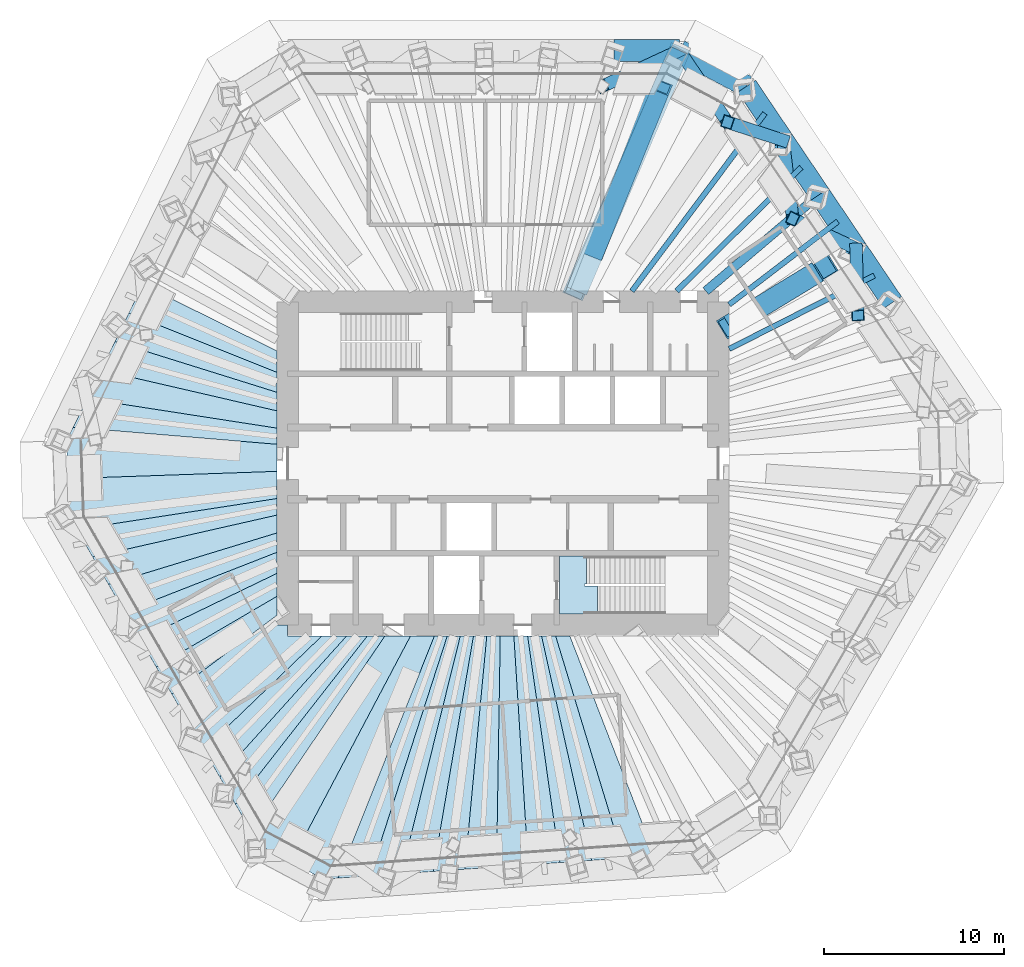
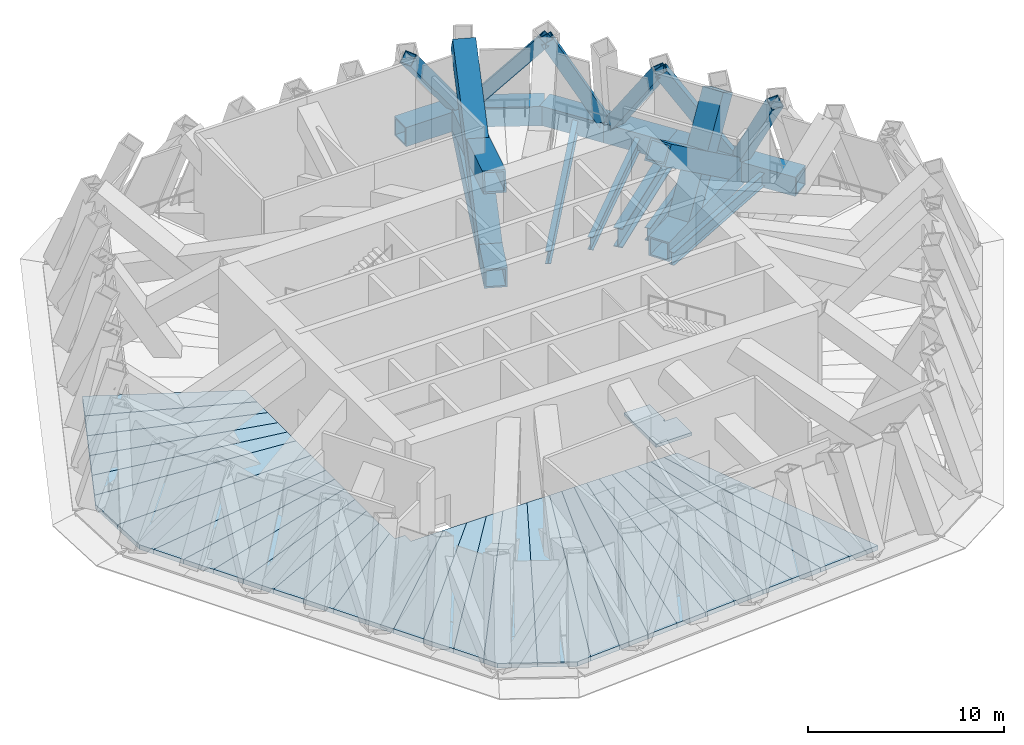
# One storey, part 5 of 12: 30 slabs, 16 members, 7 beams, 1 element without a shape of its own.
"""IFC4 building model written with IfcOpenShell, lengths in metres."""

import ifcopenshell
import ifcopenshell.guid

model = None  # the IFC model being written
_history = None  # IfcOwnerHistory: only IFC2X3 demands one
_inside = {}  # id of a spatial element -> (the spatial element, [elements in it])
_under = {}  # id of a project, library or spatial element -> (it, [spatial elements below it])
_declared = {}  # id of a project -> (the project, [libraries it declares])
_typed = {}  # id of a type object -> (the type object, [elements of that type])
_made_of = {}  # id of a material, layer set ... -> (it, [elements and type objects made of it])


def new_model(schema):
    """Start an empty IFC model of exactly this schema.

    Asked for "IFC4X3", IfcOpenShell would pick the latest addendum, in which some entities
    have other attributes; the version numbers below select the first issue.
    IFC2X3 requires an IfcOwnerHistory on every rooted entity: one is made here for all.
    """
    global model, _history
    if schema == "IFC4X3":
        model = ifcopenshell.file(schema_version=(4, 3, 0, 0))
    else:
        model = ifcopenshell.file(schema=schema)
    _inside.clear()
    _under.clear()
    _declared.clear()
    _typed.clear()
    _made_of.clear()
    _history = None
    if model.schema == "IFC2X3":
        org = make("IfcOrganization", Name="unknown")
        user = make(
            "IfcPersonAndOrganization",
            ThePerson=make("IfcPerson", FamilyName="unknown"),
            TheOrganization=org,
        )
        app = make(
            "IfcApplication",
            ApplicationDeveloper=org,
            Version="unknown",
            ApplicationFullName="unknown",
            ApplicationIdentifier="unknown",
        )
        _history = make(
            "IfcOwnerHistory",
            OwningUser=user,
            OwningApplication=app,
            ChangeAction="ADDED",
            CreationDate=0,
        )
    return model


def make(cls, **values):
    """One entity of the class cls with the attributes given. An attribute that is None is left unset."""
    return model.create_entity(
        cls, **{name: value for name, value in values.items() if value is not None}
    )


def rooted(cls, **values):
    """An entity with a GlobalId (a new one), such as an element, a storey or a relation."""
    return make(cls, GlobalId=ifcopenshell.guid.new(), OwnerHistory=_history, **values)


def si_unit(unit_type, name, prefix=None):
    """IfcSIUnit, for example si_unit("LENGTHUNIT", "METRE", prefix="MILLI")."""
    return make("IfcSIUnit", UnitType=unit_type, Prefix=prefix, Name=name)


def assignment(units):
    """IfcUnitAssignment: the units of a project."""
    return None if units is None else make("IfcUnitAssignment", Units=units)


def point(xyz):
    """IfcCartesianPoint."""
    return None if xyz is None else make("IfcCartesianPoint", Coordinates=xyz)


def direction(xyz):
    """IfcDirection."""
    return None if xyz is None else make("IfcDirection", DirectionRatios=xyz)


def frame(location, z_axis=None, x_axis=None):
    """IfcAxis2Placement3D, a coordinate frame: its origin and axes. An axis left out is left unset."""
    return make(
        "IfcAxis2Placement3D",
        Location=point(location),
        Axis=direction(z_axis),
        RefDirection=direction(x_axis),
    )


def frame_2d(location, x_axis=None):
    """IfcAxis2Placement2D, a coordinate frame in the plane: its origin and x axis."""
    return make(
        "IfcAxis2Placement2D", Location=point(location), RefDirection=direction(x_axis)
    )


def origin():
    """The frame at (0, 0, 0) with its axes left unset."""
    return frame((0.0, 0.0, 0.0))


def origin_2d():
    """The frame at (0, 0) in the plane with its x axis left unset."""
    return frame_2d((0.0, 0.0))


def place(relative_to, where):
    """IfcLocalPlacement: puts the frame where relative to a parent placement (None: the world)."""
    return make(
        "IfcLocalPlacement", PlacementRelTo=relative_to, RelativePlacement=where
    )


def context(
    kind, dimensions, precision=None, world=None, true_north=None, identifier=None
):
    """IfcGeometricRepresentationContext, for example the 3D "Model" context."""
    return make(
        "IfcGeometricRepresentationContext",
        ContextIdentifier=identifier,
        ContextType=kind,
        CoordinateSpaceDimension=dimensions,
        Precision=precision,
        WorldCoordinateSystem=world,
        TrueNorth=true_north,
    )


def subcontext(parent, identifier, kind, view, scale=None):
    """IfcGeometricRepresentationSubContext, for example "Body" below "Model"."""
    return make(
        "IfcGeometricRepresentationSubContext",
        ContextIdentifier=identifier,
        ContextType=kind,
        ParentContext=parent,
        TargetScale=scale,
        TargetView=view,
    )


def project(units=None, contexts=None):
    """IfcProject with its units and contexts."""
    return rooted(
        "IfcProject",
        Name="project",
        RepresentationContexts=contexts,
        UnitsInContext=assignment(units),
    )


def spatial(cls, under=None, at=None, **own):
    """A site, building, storey or space (cls), placed at a placement, below another one or the project."""
    s = rooted(cls, ObjectPlacement=at, **own)
    if under is not None:
        _under.setdefault(under.id(), (under, []))[1].append(s)
    return s


def polyline(points):
    """IfcPolyline through the points."""
    return make("IfcPolyline", Points=[point(p) for p in points])


def profile(cls, at=None, kind="AREA", **sizes):
    """A parametric profile (cls). Its sizes go by their IFC names, for example OverallWidth=200.0."""
    return make(cls, ProfileType=kind, Position=at, **sizes)


def hollow_rectangle(**sizes):
    """IfcRectangleHollowProfileDef."""
    return profile("IfcRectangleHollowProfileDef", **sizes)


def i_section(**sizes):
    """IfcIShapeProfileDef."""
    return profile("IfcIShapeProfileDef", **sizes)


def outline(outer, holes=None, kind="AREA"):
    """IfcArbitraryClosedProfileDef: a profile drawn as a closed curve; with holes, ...WithVoids."""
    if holes is None:
        return make("IfcArbitraryClosedProfileDef", ProfileType=kind, OuterCurve=outer)
    return make(
        "IfcArbitraryProfileDefWithVoids",
        ProfileType=kind,
        OuterCurve=outer,
        InnerCurves=holes,
    )


def extrude(swept, where, along, depth):
    """IfcExtrudedAreaSolid: the profile swept, set in the frame where, extruded along a direction by depth."""
    return make(
        "IfcExtrudedAreaSolid",
        SweptArea=swept,
        Position=where,
        ExtrudedDirection=direction(along),
        Depth=depth,
    )


def shape(context_of_items, identifier, shape_type, items):
    """IfcShapeRepresentation: the items that make up one representation, for example the "Body"."""
    return make(
        "IfcShapeRepresentation",
        ContextOfItems=context_of_items,
        RepresentationIdentifier=identifier,
        RepresentationType=shape_type,
        Items=items,
    )


def material(Name=None, Category=None):
    """IfcMaterial."""
    return make("IfcMaterial", Name=Name, Category=Category)


def layer(
    of_material, thickness, ventilated=None, Name=None, Category=None, Priority=None
):
    """IfcMaterialLayer: one layer of a wall or slab, of a material (None: an air gap)."""
    return make(
        "IfcMaterialLayer",
        Material=of_material,
        LayerThickness=thickness,
        IsVentilated=ventilated,
        Name=Name,
        Category=Category,
        Priority=Priority,
    )


def layer_set(layers, Name=None):
    """IfcMaterialLayerSet."""
    return make("IfcMaterialLayerSet", MaterialLayers=layers, LayerSetName=Name)


def material_profile(
    of_material, cross_section, Name=None, Category=None, Priority=None
):
    """IfcMaterialProfile: a cross section and its material."""
    return make(
        "IfcMaterialProfile",
        Name=Name,
        Material=of_material,
        Profile=cross_section,
        Priority=Priority,
        Category=Category,
    )


def profile_set(profiles, Name=None, composite=None):
    """IfcMaterialProfileSet."""
    return make(
        "IfcMaterialProfileSet",
        Name=Name,
        MaterialProfiles=profiles,
        CompositeProfile=composite,
    )


def made_of(thing, what):
    """Note that an element or type object is made of a material, layer set ...; save() writes the relation."""
    if what is not None:
        _made_of.setdefault(what.id(), (what, []))[1].append(thing)
    return thing


def type_object(cls, material=None, **own):
    """A type object (cls), such as IfcWallType, which elements share."""
    return made_of(rooted(cls, **own), material)


def element(
    cls,
    number,
    at=None,
    inside=None,
    cuts=None,
    type_object=None,
    material=None,
    context=None,
    identifier="Body",
    shape_type=None,
    held_by="IfcProductDefinitionShape",
    body=None,
    shapes=None,
    **own,
):
    """One element of the class cls, such as IfcWall. Its Tag is "e" and its number.

    at: its placement. inside: the storey or other place that contains it. cuts: it is an
    opening in that element (IfcRelVoidsElement). A single representation is given by context,
    identifier, shape_type and body (its items); several are given by shapes. held_by: the class
    of the entity that holds the representations. save() writes the other relations.
    """
    e = rooted(cls, Tag="e%d" % number, ObjectPlacement=at, **own)
    if body is not None:
        shapes = [shape(context, identifier, shape_type, body)]
    if shapes is not None:
        e.Representation = make(held_by, Representations=shapes)
    if inside is not None:
        _inside.setdefault(inside.id(), (inside, []))[1].append(e)
    if cuts is not None:
        rooted(
            "IfcRelVoidsElement", RelatingBuildingElement=cuts, RelatedOpeningElement=e
        )
    if type_object is not None:
        _typed.setdefault(type_object.id(), (type_object, []))[1].append(e)
    return made_of(e, material)


def aggregate(whole, parts):
    """IfcRelAggregates: a whole, such as a stair, and the parts it consists of."""
    return rooted("IfcRelAggregates", RelatingObject=whole, RelatedObjects=parts)


def save(model, path):
    """Write the relations noted so far, then the file.

    IfcRelAggregates (storeys below a building ...), IfcRelContainedInSpatialStructure (elements
    in a storey), IfcRelDefinesByType, IfcRelAssociatesMaterial and IfcRelDeclares: one each for
    every whole, place, type object, material and project.
    """
    for whole, parts in _under.values():
        aggregate(whole, parts)
    for where, things in _inside.values():
        rooted(
            "IfcRelContainedInSpatialStructure",
            RelatedElements=things,
            RelatingStructure=where,
        )
    for kind, things in _typed.values():
        rooted("IfcRelDefinesByType", RelatedObjects=things, RelatingType=kind)
    for what, things in _made_of.values():
        rooted("IfcRelAssociatesMaterial", RelatedObjects=things, RelatingMaterial=what)
    for by, libraries in _declared.values():
        rooted("IfcRelDeclares", RelatingContext=by, RelatedDefinitions=libraries)
    model.write(path)


model = new_model("IFC4")

# Units and contexts
model_context = context("Model", 3, precision=1e-05, world=origin(), true_north=direction((0.0, 1.0)))
body_context = subcontext(model_context, "Body", "Model", "MODEL_VIEW")
ifc_project = project(units=[si_unit("LENGTHUNIT", "METRE"), si_unit("AREAUNIT", "SQUARE_METRE"), si_unit("VOLUMEUNIT", "CUBIC_METRE"), si_unit("PLANEANGLEUNIT", "RADIAN"), si_unit("MASSUNIT", "GRAM", prefix="KILO")], contexts=[model_context])

# Site, building, storey
site_placement = place(None, origin())
site = spatial("IfcSite", under=ifc_project, at=site_placement, CompositionType="ELEMENT")
building_placement = place(site_placement, origin())
building = spatial("IfcBuilding", under=site, at=building_placement, Name="Qingtian Harvest Tower", CompositionType="ELEMENT")
storey_placement = place(building_placement, frame((0.0, 0.0, 256.0)))
storey = spatial("IfcBuildingStorey", under=building, at=storey_placement, Name="L56", CompositionType="ELEMENT", Elevation=256.0)

# Members
ifc_material_1 = material(Name="Steel SM570MC", Category="steel")
ifc_material_profile_1 = material_profile(ifc_material_1, hollow_rectangle(XDim=1.199951171875, YDim=1.199951171875, WallThickness=0.10009765625, at=origin_2d()), Name="BOX1200x1200x100")
ifc_profile_set_1 = profile_set([ifc_material_profile_1], Name="Steel SM570MC")
member_type_1 = type_object("IfcMemberType", Name="Belt truss chord BC3 BOX1200x1200x100", PredefinedType="CHORD", material=ifc_profile_set_1)
member_1_placement = place(storey_placement, frame((6.19580078125, 23.0, -0.60009765625), z_axis=(1.0, 0.0, 0.0), x_axis=(0.0, 1.0, 0.0)))
element("IfcMember", 1, at=member_1_placement, inside=storey, type_object=member_type_1, Name="Belt chord BC3 N5", PredefinedType="CHORD", context=body_context, shape_type="SweptSolid", body=[
    extrude(hollow_rectangle(XDim=1.199951171875, YDim=1.199951171875, WallThickness=0.10009765625, at=origin_2d()), origin(), (0.0, 0.0, 1.0), 3.633544921875),
])
member_2_placement = place(storey_placement, frame((9.829345703125, 23.0, -0.60009765625), z_axis=(0.882935902835, -0.469493547863, 0.0), x_axis=(0.469493547863, 0.882935902835, 0.0)))
element("IfcMember", 2, at=member_2_placement, inside=storey, type_object=member_type_1, Name="Belt chord BC3 NC", PredefinedType="CHORD", context=body_context, shape_type="SweptSolid", body=[
    extrude(hollow_rectangle(XDim=1.199951171875, YDim=1.199951171875, WallThickness=0.10009765625, at=origin_2d()), origin(), (0.0, 0.0, 1.0), 4.238037109375),
])
for number, where, z_axis, x_axis, name in (
    (3, (13.5712890625, 21.01025390625, -0.60009765625), (0.559235108412, -0.829009103399, 0.0), (0.829009103399, 0.559235108412, 0.0), "Belt chord BC3 NE0"),
    (4, (15.603271484375, 17.998046875, -0.60009765625), (0.55915777886, -0.829061263321, 0.0), (0.829061263321, 0.55915777886, 0.0), "Belt chord BC3 NE1"),
):
    element("IfcMember", number, at=place(storey_placement, frame(where, z_axis=z_axis, x_axis=x_axis)), inside=storey, type_object=member_type_1, Name=name, PredefinedType="CHORD", context=body_context, shape_type="SweptSolid", body=[
        extrude(hollow_rectangle(XDim=1.199951171875, YDim=1.199951171875, WallThickness=0.10009765625, at=origin_2d()), origin(), (0.0, 0.0, 1.0), 3.633544921875),
    ])
member_3_placement = place(storey_placement, frame((17.635009765625, 14.985595703125, -0.60009765625), z_axis=(0.55920395902, -0.829030115385, 0.0), x_axis=(0.829030115385, 0.55920395902, 0.0)))
element("IfcMember", 5, at=member_3_placement, inside=storey, type_object=member_type_1, Name="Belt chord BC3 NE2", PredefinedType="CHORD", context=body_context, shape_type="SweptSolid", body=[
    extrude(hollow_rectangle(XDim=1.199951171875, YDim=1.199951171875, WallThickness=0.10009765625, at=origin_2d()), origin(), (0.0, 0.0, 1.0), 3.6337890625),
])
member_4_placement = place(storey_placement, frame((19.6669921875, 11.97314453125, -0.60009765625), z_axis=(0.559188928021, -0.829040254016, 0.0), x_axis=(0.829040254016, 0.559188928021, 0.0)))
element("IfcMember", 6, at=member_4_placement, inside=storey, type_object=member_type_1, Name="Belt chord BC3 NE3", PredefinedType="CHORD", context=body_context, shape_type="SweptSolid", body=[
    extrude(hollow_rectangle(XDim=1.199951171875, YDim=1.199951171875, WallThickness=0.10009765625, at=origin_2d()), origin(), (0.0, 0.0, 1.0), 3.63330078125),
])
ifc_material_2 = material(Name="Steel SM570MC", Category="steel")
ifc_material_profile_2 = material_profile(ifc_material_2, hollow_rectangle(XDim=0.699951171875, YDim=0.699951171875, WallThickness=0.0400390625, at=origin_2d()), Name="BOX700x700x40")
ifc_profile_set_2 = profile_set([ifc_material_profile_2], Name="Steel SM570MC")
member_type_2 = type_object("IfcMemberType", Name="Belt truss diagonal BD3 BOX700x700x40", PredefinedType="BRACE", material=ifc_profile_set_2)
member_5_placement = place(storey_placement, frame((5.517822265625, 21.0, 5.39990234375), z_axis=(0.563276768709, 0.261288974477, -0.783866923431), x_axis=(-0.420803399984, 0.907151860805, 0.0)))
element("IfcMember", 7, at=member_5_placement, inside=storey, type_object=member_type_2, Name="Belt truss diagonal BD3 L56 N5", PredefinedType="BRACE", context=body_context, shape_type="SweptSolid", body=[
    extrude(hollow_rectangle(XDim=0.699951171875, YDim=0.699951171875, WallThickness=0.0400390625, at=origin_2d()), origin(), (0.0, 0.0, 1.0), 7.654296875),
])
member_6_placement = place(storey_placement, frame((9.829345703125, 23.0, -0.60009765625), z_axis=(0.348462261767, -0.519009322074, 0.780514814545), x_axis=(0.83023255063, 0.557417179385, 0.0)))
element("IfcMember", 8, at=member_6_placement, inside=storey, type_object=member_type_2, Name="Belt truss diagonal BD3 L56 N6", PredefinedType="BRACE", context=body_context, shape_type="SweptSolid", body=[
    extrude(hollow_rectangle(XDim=0.699951171875, YDim=0.699951171875, WallThickness=0.0400390625, at=origin_2d()), origin(), (0.0, 0.0, 1.0), 7.687255859375),
])
member_7_placement = place(storey_placement, frame((12.508056640625, 19.01025390625, 5.39990234375), z_axis=(0.453393119697, -0.148270064227, -0.878891726588), x_axis=(0.310824821083, 0.950467217004, 0.0)))
element("IfcMember", 9, at=member_7_placement, inside=storey, type_object=member_type_2, Name="Belt truss diagonal BD3 L56 NE0", PredefinedType="BRACE", context=body_context, shape_type="SweptSolid", body=[
    extrude(hollow_rectangle(XDim=0.699951171875, YDim=0.699951171875, WallThickness=0.0400390625, at=origin_2d()), origin(), (0.0, 0.0, 1.0), 6.82666015625),
])
member_8_placement = place(storey_placement, frame((15.603271484375, 17.998046875, -0.60009765625), z_axis=(0.072185286814, -0.587485253388, 0.80600890902), x_axis=(0.992535691345, 0.121954505479, 0.0)))
element("IfcMember", 10, at=member_8_placement, inside=storey, type_object=member_type_2, Name="Belt truss diagonal BD3 L56 NE1", PredefinedType="BRACE", context=body_context, shape_type="SweptSolid", body=[
    extrude(hollow_rectangle(XDim=0.699951171875, YDim=0.699951171875, WallThickness=0.0400390625, at=origin_2d()), origin(), (0.0, 0.0, 1.0), 7.444091796875),
])
member_9_placement = place(storey_placement, frame((16.140625, 13.624755859375, 5.39990234375), z_axis=(0.493002552553, -0.230902954031, -0.838827937658), x_axis=(0.424144715837, 0.905594423585, 0.0)))
element("IfcMember", 11, at=member_9_placement, inside=storey, type_object=member_type_2, Name="Belt truss diagonal BD3 L56 NE2", PredefinedType="BRACE", context=body_context, shape_type="SweptSolid", body=[
    extrude(hollow_rectangle(XDim=0.699951171875, YDim=0.699951171875, WallThickness=0.0400390625, at=origin_2d()), origin(), (0.0, 0.0, 1.0), 7.15283203125),
])
member_10_placement = place(storey_placement, frame((19.6669921875, 11.97314453125, -0.60009765625), z_axis=(0.014991614241, -0.528298958999, 0.848926063578), x_axis=(0.999597611929, 0.028365722739, 0.0)))
element("IfcMember", 12, at=member_10_placement, inside=storey, type_object=member_type_2, Name="Belt truss diagonal BD3 L56 NE3", PredefinedType="BRACE", context=body_context, shape_type="SweptSolid", body=[
    extrude(hollow_rectangle(XDim=0.699951171875, YDim=0.699951171875, WallThickness=0.0400390625, at=origin_2d()), origin(), (0.0, 0.0, 1.0), 7.06787109375),
])

# Beams
ifc_material_3 = material(Name="Steel SN490B", Category="steel")
ifc_material_profile_3 = material_profile(ifc_material_3, i_section(OverallWidth=0.300048828125, OverallDepth=0.800048828125, WebThickness=0.013916015625, FlangeThickness=0.02587890625, at=origin_2d()), Name="H800x300x14x26")
ifc_profile_set_3 = profile_set([ifc_material_profile_3], Name="Steel SN490B")
beam_type_1 = type_object("IfcBeamType", Name="Floor joist J1 H800x300x14x26", PredefinedType="JOIST", material=ifc_profile_set_3)
beam_1_placement = place(storey_placement, frame((14.58740234375, 19.504150390625, -0.679931640625), z_axis=(-0.598935081494, -0.800797582511, 0.0), x_axis=(0.800797582511, -0.598935081494, 0.0)))
element("IfcBeam", 13, at=beam_1_placement, inside=storey, type_object=beam_type_1, Name="Floor joist J1 NE0", PredefinedType="JOIST", context=body_context, shape_type="SweptSolid", body=[
    extrude(i_section(OverallWidth=0.300048828125, OverallDepth=0.800048828125, WebThickness=0.013916015625, FlangeThickness=0.02587890625, at=origin_2d()), origin(), (0.0, 0.0, 1.0), 12.36767578125),
])
beam_2_placement = place(storey_placement, frame((16.619140625, 16.49169921875, -0.679931640625), z_axis=(-0.709833839663, -0.704369164622, 0.0), x_axis=(0.704369164622, -0.709833839663, 0.0)))
element("IfcBeam", 14, at=beam_2_placement, inside=storey, type_object=beam_type_1, Name="Floor joist J1 NE1", PredefinedType="JOIST", context=body_context, shape_type="SweptSolid", body=[
    extrude(i_section(OverallWidth=0.300048828125, OverallDepth=0.800048828125, WebThickness=0.013916015625, FlangeThickness=0.02587890625, at=origin_2d()), origin(), (0.0, 0.0, 1.0), 9.7841796875),
])
beam_3_placement = place(storey_placement, frame((18.651123046875, 13.4794921875, -0.679931640625), z_axis=(-0.794222288871, -0.607627316585, 0.0), x_axis=(0.607627316585, -0.794222288871, 0.0)))
element("IfcBeam", 15, at=beam_3_placement, inside=storey, type_object=beam_type_1, Name="Floor joist J1 NE2", PredefinedType="JOIST", context=body_context, shape_type="SweptSolid", body=[
    extrude(i_section(OverallWidth=0.300048828125, OverallDepth=0.800048828125, WebThickness=0.013916015625, FlangeThickness=0.02587890625, at=origin_2d()), origin(), (0.0, 0.0, 1.0), 7.618896484375),
])
beam_4_placement = place(storey_placement, frame((20.682861328125, 10.467041015625, -0.679931640625), z_axis=(-0.892244443914, -0.451552712652, 0.0), x_axis=(0.451552712652, -0.892244443914, 0.0)))
element("IfcBeam", 16, at=beam_4_placement, inside=storey, type_object=beam_type_1, Name="Floor joist J1 NE3", PredefinedType="JOIST", context=body_context, shape_type="SweptSolid", body=[
    extrude(i_section(OverallWidth=0.300048828125, OverallDepth=0.800048828125, WebThickness=0.013916015625, FlangeThickness=0.02587890625, at=origin_2d()), origin(), (0.0, 0.0, 1.0), 9.058837890625),
])
ifc_material_4 = material(Name="Steel SM570MC", Category="steel")
ifc_material_profile_4 = material_profile(ifc_material_4, hollow_rectangle(XDim=1.199951171875, YDim=1.199951171875, WallThickness=0.10009765625, at=origin_2d()), Name="BOX1200x1200x100")
ifc_profile_set_4 = profile_set([ifc_material_profile_4], Name="Steel SM570MC")
beam_type_2 = type_object("IfcBeamType", Name="Outrigger chord beam OC2 BOX1200x1200x100", PredefinedType="BEAM", material=ifc_profile_set_4)
beam_5_placement = place(storey_placement, frame((9.829345703125, 23.0, -0.8798828125), z_axis=(-0.392976835482, -0.91954837109, 0.0), x_axis=(0.91954837109, -0.392976835482, 0.0)))
element("IfcBeam", 17, at=beam_5_placement, inside=storey, type_object=beam_type_2, Name="Floor beam OC2 N6", PredefinedType="BEAM", context=body_context, shape_type="SweptSolid", body=[
    extrude(hollow_rectangle(XDim=1.199951171875, YDim=1.199951171875, WallThickness=0.10009765625, at=origin_2d()), origin(), (0.0, 0.0, 1.0), 14.572265625),
])
beam_6_placement = place(storey_placement, frame((19.6669921875, 11.97314453125, -0.8798828125), z_axis=(-0.854163224424, -0.520004986554, 0.0), x_axis=(0.520004986554, -0.854163224424, 0.0)))
element("IfcBeam", 18, at=beam_6_placement, inside=storey, type_object=beam_type_2, Name="Floor beam OC2 NE3", PredefinedType="BEAM", context=body_context, shape_type="SweptSolid", body=[
    extrude(hollow_rectangle(XDim=1.199951171875, YDim=1.199951171875, WallThickness=0.10009765625, at=origin_2d()), origin(), (0.0, 0.0, 1.0), 8.2734375),
])

# Members
ifc_material_5 = material(Name="Steel SM570MC", Category="steel")
ifc_material_profile_5 = material_profile(ifc_material_5, hollow_rectangle(XDim=1.199951171875, YDim=1.199951171875, WallThickness=0.10009765625, at=origin_2d()), Name="BOX1200x1200x100")
ifc_profile_set_5 = profile_set([ifc_material_profile_5], Name="Steel SM570MC")
member_type_3 = type_object("IfcMemberType", Name="Outrigger diagonal OT3 BOX1200x1200x100", PredefinedType="BRACE", material=ifc_profile_set_5)
member_11_placement = place(storey_placement, frame((9.829345703125, 23.0, -0.8798828125), z_axis=(-0.367951538346, -0.847125000599, 0.383393921169), x_axis=(0.917213982021, -0.398394918623, 0.0)))
element("IfcMember", 19, at=member_11_placement, inside=storey, type_object=member_type_3, Name="Outrigger diagonal OT3 L56 N6-1", PredefinedType="BRACE", context=body_context, shape_type="SweptSolid", body=[
    extrude(hollow_rectangle(XDim=1.199951171875, YDim=1.199951171875, WallThickness=0.10009765625, at=origin_2d()), origin(), (0.0, 0.0, 1.0), 15.936279296875),
])
member_12_placement = place(storey_placement, frame((5.0458984375, 11.806884765625, -0.8798828125), z_axis=(0.319358466924, 0.78922642725, 0.524530090781), x_axis=(-0.926983705481, 0.375101599267, 0.0)))
element("IfcMember", 20, at=member_12_placement, inside=storey, type_object=member_type_3, Name="Outrigger diagonal OT3 L56 N6-2", PredefinedType="BRACE", context=body_context, shape_type="SweptSolid", body=[
    extrude(hollow_rectangle(XDim=1.199951171875, YDim=1.199951171875, WallThickness=0.10009765625, at=origin_2d()), origin(), (0.0, 0.0, 1.0), 11.648193359375),
])
member_13_placement = place(storey_placement, frame((19.6669921875, 11.97314453125, -0.8798828125), z_axis=(-0.690500451486, -0.420354733905, 0.588651870108), x_axis=(0.519992176925, -0.854171022651, 0.0)))
element("IfcMember", 21, at=member_13_placement, inside=storey, type_object=member_type_3, Name="Outrigger diagonal OT3 L56 NE3-1", PredefinedType="BRACE", context=body_context, shape_type="SweptSolid", body=[
    extrude(hollow_rectangle(XDim=1.199951171875, YDim=1.199951171875, WallThickness=0.10009765625, at=origin_2d()), origin(), (0.0, 0.0, 1.0), 10.37939453125),
])
member_14_placement = place(storey_placement, frame((14.64990234375, 8.9189453125, -0.8798828125), z_axis=(0.457183000062, 0.27832639487, 0.844700019162), x_axis=(-0.520002961553, 0.854164457219, 0.0)))
element("IfcMember", 22, at=member_14_placement, inside=storey, type_object=member_type_3, Name="Outrigger diagonal OT3 L56 NE3-2", PredefinedType="BRACE", context=body_context, shape_type="SweptSolid", body=[
    extrude(hollow_rectangle(XDim=1.199951171875, YDim=1.199951171875, WallThickness=0.10009765625, at=origin_2d()), origin(), (0.0, 0.0, 1.0), 7.233154296875),
])

# Beam
ifc_material_6 = material(Name="Steel SM570MC", Category="steel")
ifc_material_profile_6 = material_profile(ifc_material_6, i_section(OverallWidth=0.5, OverallDepth=1.199951171875, WebThickness=0.02490234375, FlangeThickness=0.050048828125, at=origin_2d()), Name="H1200x500x25x50")
ifc_profile_set_6 = profile_set([ifc_material_profile_6], Name="Steel SM570MC")
beam_type_3 = type_object("IfcBeamType", Name="Plant floor beam FB7 H1200x500x25x50", PredefinedType="BEAM", material=ifc_profile_set_6)
beam_7_placement = place(storey_placement, frame((17.635009765625, 14.985595703125, -0.8798828125), z_axis=(-0.762028398305, -0.647543604846, 0.0), x_axis=(0.647543604846, -0.762028398305, 0.0)))
element("IfcBeam", 23, at=beam_7_placement, inside=storey, type_object=beam_type_3, Name="Floor beam FB7 NE2", PredefinedType="BEAM", context=body_context, shape_type="SweptSolid", body=[
    extrude(i_section(OverallWidth=0.5, OverallDepth=1.199951171875, WebThickness=0.02490234375, FlangeThickness=0.050048828125, at=origin_2d()), origin(), (0.0, 0.0, 1.0), 8.31689453125),
])

# Slabs
ifc_material_7 = material(Name="Concrete fc' 35 MPa", Category="concrete")
ifc_layer_1 = layer(ifc_material_7, 0.280029296875)
ifc_layer_set_1 = layer_set([ifc_layer_1], Name="Composite floor slab FS28 280")
slab_type_1 = type_object("IfcSlabType", Name="Composite floor slab FS28 280", PredefinedType="FLOOR", material=ifc_layer_set_1)
slab_1_placement = place(storey_placement, frame((0.0, 0.0, -0.280029296875)))
element("IfcSlab", 24, at=slab_1_placement, inside=storey, type_object=slab_type_1, Name="Floor slab L56 panel D01", PredefinedType="FLOOR", context=body_context, shape_type="SweptSolid", body=[
    extrude(outline(polyline([(-24.233642578125, -0.846435546875), (-12.60009765625, -0.443115234375), (-12.60009765625, -1.958984375), (-23.748046875, -3.677001953125), (-24.15966796875, -2.964111328125), (-24.233642578125, -0.846435546875)])), origin(), (0.0, 0.0, 1.0), 0.280029296875),
])
slab_2_placement = place(storey_placement, frame((0.0, 0.0, -0.280029296875)))
element("IfcSlab", 25, at=slab_2_placement, inside=storey, type_object=slab_type_1, Name="Floor slab L56 panel D02", PredefinedType="FLOOR", context=body_context, shape_type="SweptSolid", body=[
    extrude(outline(polyline([(-12.60009765625, -2.880126953125), (-22.86328125, -5.209716796875), (-23.748046875, -3.677001953125), (-12.60009765625, -1.958984375), (-12.60009765625, -2.880126953125)])), origin(), (0.0, 0.0, 1.0), 0.280029296875),
])
slab_3_placement = place(storey_placement, frame((0.0, 0.0, -0.280029296875)))
element("IfcSlab", 26, at=slab_3_placement, inside=storey, type_object=slab_type_1, Name="Floor slab L56 panel D03", PredefinedType="FLOOR", context=body_context, shape_type="SweptSolid", body=[
    extrude(outline(polyline([(-12.60009765625, -3.87548828125), (-21.978271484375, -6.742431640625), (-22.86328125, -5.209716796875), (-12.60009765625, -2.880126953125), (-12.60009765625, -3.87548828125)])), origin(), (0.0, 0.0, 1.0), 0.280029296875),
])
slab_4_placement = place(storey_placement, frame((0.0, 0.0, -0.280029296875)))
element("IfcSlab", 27, at=slab_4_placement, inside=storey, type_object=slab_type_1, Name="Floor slab L56 panel D04", PredefinedType="FLOOR", context=body_context, shape_type="SweptSolid", body=[
    extrude(outline(polyline([(-12.60009765625, -4.95458984375), (-21.09326171875, -8.275146484375), (-21.978271484375, -6.742431640625), (-12.60009765625, -3.87548828125), (-12.60009765625, -4.95458984375)])), origin(), (0.0, 0.0, 1.0), 0.280029296875),
])
slab_5_placement = place(storey_placement, frame((0.0, 0.0, -0.280029296875)))
element("IfcSlab", 28, at=slab_5_placement, inside=storey, type_object=slab_type_1, Name="Floor slab L56 panel D05", PredefinedType="FLOOR", context=body_context, shape_type="SweptSolid", body=[
    extrude(outline(polyline([(-12.60009765625, -6.128173828125), (-20.20849609375, -9.80810546875), (-21.09326171875, -8.275146484375), (-12.60009765625, -4.95458984375), (-12.60009765625, -6.128173828125)])), origin(), (0.0, 0.0, 1.0), 0.280029296875),
])
slab_6_placement = place(storey_placement, frame((0.0, 0.0, -0.280029296875)))
element("IfcSlab", 29, at=slab_6_placement, inside=storey, type_object=slab_type_1, Name="Floor slab L56 panel D06", PredefinedType="FLOOR", context=body_context, shape_type="SweptSolid", body=[
    extrude(outline(polyline([(-12.60009765625, -7.409423828125), (-19.323486328125, -11.3408203125), (-20.20849609375, -9.80810546875), (-12.60009765625, -6.128173828125), (-12.60009765625, -7.409423828125)])), origin(), (0.0, 0.0, 1.0), 0.280029296875),
])
slab_7_placement = place(storey_placement, frame((0.0, 0.0, -0.280029296875)))
element("IfcSlab", 30, at=slab_7_placement, inside=storey, type_object=slab_type_1, Name="Floor slab L56 panel D07", PredefinedType="FLOOR", context=body_context, shape_type="SweptSolid", body=[
    extrude(outline(polyline([(-12.60009765625, -8.46435546875), (-18.449462890625, -12.854736328125), (-19.323486328125, -11.3408203125), (-12.60009765625, -7.409423828125), (-12.60009765625, -8.46435546875)])), origin(), (0.0, 0.0, 1.0), 0.280029296875),
])
slab_8_placement = place(storey_placement, frame((0.0, 0.0, -0.280029296875)))
element("IfcSlab", 31, at=slab_8_placement, inside=storey, type_object=slab_type_1, Name="Floor slab L56 panel D09", PredefinedType="FLOOR", context=body_context, shape_type="SweptSolid", body=[
    extrude(outline(polyline([(-16.670166015625, -15.9365234375), (-18.449462890625, -12.854736328125), (-12.60009765625, -8.46435546875), (-12.60009765625, -9.0), (-12.0, -9.0), (-12.0, -9.60009765625), (-10.07666015625, -9.60009765625), (-16.670166015625, -15.9365234375)])), origin(), (0.0, 0.0, 1.0), 0.280029296875),
])
slab_9_placement = place(storey_placement, frame((0.0, 0.0, -0.280029296875)))
element("IfcSlab", 32, at=slab_9_placement, inside=storey, type_object=slab_type_1, Name="Floor slab L56 panel D10", PredefinedType="FLOOR", context=body_context, shape_type="SweptSolid", body=[
    extrude(outline(polyline([(-8.700927734375, -9.60009765625), (-15.784912109375, -17.4697265625), (-16.670166015625, -15.9365234375), (-10.07666015625, -9.60009765625), (-8.700927734375, -9.60009765625)])), origin(), (0.0, 0.0, 1.0), 0.280029296875),
])
slab_10_placement = place(storey_placement, frame((0.0, 0.0, -0.280029296875)))
element("IfcSlab", 33, at=slab_10_placement, inside=storey, type_object=slab_type_1, Name="Floor slab L56 panel D11", PredefinedType="FLOOR", context=body_context, shape_type="SweptSolid", body=[
    extrude(outline(polyline([(-7.548095703125, -9.60009765625), (-14.89990234375, -19.00244140625), (-15.784912109375, -17.4697265625), (-8.700927734375, -9.60009765625), (-7.548095703125, -9.60009765625)])), origin(), (0.0, 0.0, 1.0), 0.280029296875),
])
slab_11_placement = place(storey_placement, frame((0.0, 0.0, -0.280029296875)))
element("IfcSlab", 34, at=slab_11_placement, inside=storey, type_object=slab_type_1, Name="Floor slab L56 panel D12", PredefinedType="FLOOR", context=body_context, shape_type="SweptSolid", body=[
    extrude(outline(polyline([(-6.568359375, -9.60009765625), (-14.014892578125, -20.535400390625), (-14.89990234375, -19.00244140625), (-7.548095703125, -9.60009765625), (-6.568359375, -9.60009765625)])), origin(), (0.0, 0.0, 1.0), 0.280029296875),
])
slab_12_placement = place(storey_placement, frame((0.0, 0.0, -0.280029296875)))
element("IfcSlab", 35, at=slab_12_placement, inside=storey, type_object=slab_type_1, Name="Floor slab L56 panel D13", PredefinedType="FLOOR", context=body_context, shape_type="SweptSolid", body=[
    extrude(outline(polyline([(-6.568359375, -9.60009765625), (-5.14501953125, -9.60009765625), (-11.8076171875, -22.203369140625), (-13.603271484375, -21.24853515625), (-14.014892578125, -20.535400390625), (-6.568359375, -9.60009765625)])), origin(), (0.0, 0.0, 1.0), 0.280029296875),
])
slab_13_placement = place(storey_placement, frame((0.0, 0.0, -0.280029296875)))
element("IfcSlab", 36, at=slab_13_placement, inside=storey, type_object=slab_type_1, Name="Floor slab L56 panel D14", PredefinedType="FLOOR", context=body_context, shape_type="SweptSolid", body=[
    extrude(outline(polyline([(-5.14501953125, -9.60009765625), (-3.817138671875, -9.60009765625), (-9.188232421875, -23.102294921875), (-10.009033203125, -23.15966796875), (-11.8076171875, -22.203369140625), (-5.14501953125, -9.60009765625)])), origin(), (0.0, 0.0, 1.0), 0.280029296875),
])
slab_14_placement = place(storey_placement, frame((0.0, 0.0, -0.280029296875)))
element("IfcSlab", 37, at=slab_14_placement, inside=storey, type_object=slab_type_1, Name="Floor slab L56 panel D15", PredefinedType="FLOOR", context=body_context, shape_type="SweptSolid", body=[
    extrude(outline(polyline([(-3.10009765625, -9.60009765625), (-7.4228515625, -22.978759765625), (-9.188232421875, -23.102294921875), (-3.817138671875, -9.60009765625), (-3.10009765625, -9.60009765625)])), origin(), (0.0, 0.0, 1.0), 0.280029296875),
])
slab_15_placement = place(storey_placement, frame((0.0, 0.0, -0.280029296875)))
element("IfcSlab", 38, at=slab_15_placement, inside=storey, type_object=slab_type_1, Name="Floor slab L56 panel D16", PredefinedType="FLOOR", context=body_context, shape_type="SweptSolid", body=[
    extrude(outline(polyline([(-2.375244140625, -9.60009765625), (-5.6572265625, -22.855224609375), (-7.4228515625, -22.978759765625), (-3.10009765625, -9.60009765625), (-2.375244140625, -9.60009765625)])), origin(), (0.0, 0.0, 1.0), 0.280029296875),
])
slab_16_placement = place(storey_placement, frame((0.0, 0.0, -0.280029296875)))
element("IfcSlab", 39, at=slab_16_placement, inside=storey, type_object=slab_type_1, Name="Floor slab L56 panel D17", PredefinedType="FLOOR", context=body_context, shape_type="SweptSolid", body=[
    extrude(outline(polyline([(-1.642578125, -9.60009765625), (-3.891845703125, -22.73193359375), (-5.6572265625, -22.855224609375), (-2.375244140625, -9.60009765625), (-1.642578125, -9.60009765625)])), origin(), (0.0, 0.0, 1.0), 0.280029296875),
])
slab_17_placement = place(storey_placement, frame((0.0, 0.0, -0.280029296875)))
element("IfcSlab", 40, at=slab_17_placement, inside=storey, type_object=slab_type_1, Name="Floor slab L56 panel D18", PredefinedType="FLOOR", context=body_context, shape_type="SweptSolid", body=[
    extrude(outline(polyline([(-0.90185546875, -9.60009765625), (-2.126220703125, -22.6083984375), (-3.891845703125, -22.73193359375), (-1.642578125, -9.60009765625), (-0.90185546875, -9.60009765625)])), origin(), (0.0, 0.0, 1.0), 0.280029296875),
])
slab_18_placement = place(storey_placement, frame((0.0, 0.0, -0.280029296875)))
element("IfcSlab", 41, at=slab_18_placement, inside=storey, type_object=slab_type_1, Name="Floor slab L56 panel D19", PredefinedType="FLOOR", context=body_context, shape_type="SweptSolid", body=[
    extrude(outline(polyline([(-0.153076171875, -9.60009765625), (-0.36083984375, -22.48486328125), (-2.126220703125, -22.6083984375), (-0.90185546875, -9.60009765625), (-0.153076171875, -9.60009765625)])), origin(), (0.0, 0.0, 1.0), 0.280029296875),
])
slab_19_placement = place(storey_placement, frame((0.0, 0.0, -0.280029296875)))
element("IfcSlab", 42, at=slab_19_placement, inside=storey, type_object=slab_type_1, Name="Floor slab L56 panel D20", PredefinedType="FLOOR", context=body_context, shape_type="SweptSolid", body=[
    extrude(outline(polyline([(0.60400390625, -9.60009765625), (1.404541015625, -22.361572265625), (-0.36083984375, -22.48486328125), (-0.153076171875, -9.60009765625), (0.60400390625, -9.60009765625)])), origin(), (0.0, 0.0, 1.0), 0.280029296875),
])
slab_20_placement = place(storey_placement, frame((0.0, 0.0, -0.280029296875)))
element("IfcSlab", 43, at=slab_20_placement, inside=storey, type_object=slab_type_1, Name="Floor slab L56 panel D21", PredefinedType="FLOOR", context=body_context, shape_type="SweptSolid", body=[
    extrude(outline(polyline([(1.36962890625, -9.60009765625), (3.170166015625, -22.238037109375), (1.404541015625, -22.361572265625), (0.60400390625, -9.60009765625), (1.36962890625, -9.60009765625)])), origin(), (0.0, 0.0, 1.0), 0.280029296875),
])
slab_21_placement = place(storey_placement, frame((0.0, 0.0, -0.280029296875)))
element("IfcSlab", 44, at=slab_21_placement, inside=storey, type_object=slab_type_1, Name="Floor slab L56 panel D22", PredefinedType="FLOOR", context=body_context, shape_type="SweptSolid", body=[
    extrude(outline(polyline([(2.1435546875, -9.60009765625), (4.935546875, -22.114501953125), (3.170166015625, -22.238037109375), (1.36962890625, -9.60009765625), (2.1435546875, -9.60009765625)])), origin(), (0.0, 0.0, 1.0), 0.280029296875),
])
slab_22_placement = place(storey_placement, frame((0.0, 0.0, -0.280029296875)))
element("IfcSlab", 45, at=slab_22_placement, inside=storey, type_object=slab_type_1, Name="Floor slab L56 panel D23", PredefinedType="FLOOR", context=body_context, shape_type="SweptSolid", body=[
    extrude(outline(polyline([(2.92626953125, -9.60009765625), (6.700927734375, -21.9912109375), (4.935546875, -22.114501953125), (2.1435546875, -9.60009765625), (2.92626953125, -9.60009765625)])), origin(), (0.0, 0.0, 1.0), 0.280029296875),
])
slab_23_placement = place(storey_placement, frame((0.0, 0.0, -0.280029296875)))
element("IfcSlab", 46, at=slab_23_placement, inside=storey, type_object=slab_type_1, Name="Floor slab L56 panel D24", PredefinedType="FLOOR", context=body_context, shape_type="SweptSolid", body=[
    extrude(outline(polyline([(3.718017578125, -9.60009765625), (8.466552734375, -21.86767578125), (6.700927734375, -21.9912109375), (2.92626953125, -9.60009765625), (3.718017578125, -9.60009765625)])), origin(), (0.0, 0.0, 1.0), 0.280029296875),
])
slab_24_placement = place(storey_placement, frame((0.0, 0.0, -0.280029296875)))
element("IfcSlab", 47, at=slab_24_placement, inside=storey, type_object=slab_type_1, Name="Floor slab L56 panel D73", PredefinedType="FLOOR", context=body_context, shape_type="SweptSolid", body=[
    extrude(outline(polyline([(-12.60009765625, 5.072509765625), (-20.843505859375, 8.374267578125), (-20.067626953125, 9.965087890625), (-12.60009765625, 6.268310546875), (-12.60009765625, 5.072509765625)])), origin(), (0.0, 0.0, 1.0), 0.280029296875),
])
slab_25_placement = place(storey_placement, frame((0.0, 0.0, -0.280029296875)))
element("IfcSlab", 48, at=slab_25_placement, inside=storey, type_object=slab_type_1, Name="Floor slab L56 panel D74", PredefinedType="FLOOR", context=body_context, shape_type="SweptSolid", body=[
    extrude(outline(polyline([(-12.60009765625, 3.962890625), (-21.619384765625, 6.783447265625), (-20.843505859375, 8.374267578125), (-12.60009765625, 5.072509765625), (-12.60009765625, 3.962890625)])), origin(), (0.0, 0.0, 1.0), 0.280029296875),
])
slab_26_placement = place(storey_placement, frame((0.0, 0.0, -0.280029296875)))
element("IfcSlab", 49, at=slab_26_placement, inside=storey, type_object=slab_type_1, Name="Floor slab L56 panel D75", PredefinedType="FLOOR", context=body_context, shape_type="SweptSolid", body=[
    extrude(outline(polyline([(-12.60009765625, 2.929931640625), (-22.39501953125, 5.19287109375), (-21.619384765625, 6.783447265625), (-12.60009765625, 3.962890625), (-12.60009765625, 2.929931640625)])), origin(), (0.0, 0.0, 1.0), 0.280029296875),
])
slab_27_placement = place(storey_placement, frame((0.0, 0.0, -0.280029296875)))
element("IfcSlab", 50, at=slab_27_placement, inside=storey, type_object=slab_type_1, Name="Floor slab L56 panel D76", PredefinedType="FLOOR", context=body_context, shape_type="SweptSolid", body=[
    extrude(outline(polyline([(-12.60009765625, 1.96630859375), (-23.1708984375, 3.60205078125), (-22.39501953125, 5.19287109375), (-12.60009765625, 2.929931640625), (-12.60009765625, 1.96630859375)])), origin(), (0.0, 0.0, 1.0), 0.280029296875),
])
slab_28_placement = place(storey_placement, frame((0.0, 0.0, -0.280029296875)))
element("IfcSlab", 51, at=slab_28_placement, inside=storey, type_object=slab_type_1, Name="Floor slab L56 panel D77", PredefinedType="FLOOR", context=body_context, shape_type="SweptSolid", body=[
    extrude(outline(polyline([(-12.60009765625, 1.065185546875), (-23.94677734375, 2.011474609375), (-23.1708984375, 3.60205078125), (-12.60009765625, 1.96630859375), (-12.60009765625, 1.065185546875)])), origin(), (0.0, 0.0, 1.0), 0.280029296875),
])
slab_29_placement = place(storey_placement, frame((0.0, 0.0, -0.280029296875)))
element("IfcSlab", 52, at=slab_29_placement, inside=storey, type_object=slab_type_1, Name="Floor slab L56 panel D78", PredefinedType="FLOOR", context=body_context, shape_type="SweptSolid", body=[
    extrude(outline(polyline([(-12.60009765625, 1.065185546875), (-12.60009765625, -0.443115234375), (-24.233642578125, -0.846435546875), (-24.3076171875, 1.271484375), (-23.94677734375, 2.011474609375), (-12.60009765625, 1.065185546875)])), origin(), (0.0, 0.0, 1.0), 0.280029296875),
])

# Stair, slab
ifc_material_8 = material(Name="Concrete fc' 35 MPa", Category="concrete")
stair_type = type_object("IfcStairType", Name="Special stair ST5 6000", PredefinedType="HALF_TURN_STAIR", material=ifc_material_8)
stair_placement = place(storey_placement, origin())
stair = element("IfcStair", 53, at=stair_placement, inside=storey, type_object=stair_type, Name="Special stair S2 L56", PredefinedType="HALF_TURN_STAIR")
ifc_material_9 = material(Name="Concrete fc' 35 MPa", Category="concrete")
ifc_layer_2 = layer(ifc_material_9, 0.199951171875)
ifc_layer_set_2 = layer_set([ifc_layer_2], Name="Stair landing SL2 200")
slab_type_2 = type_object("IfcSlabType", Name="Stair landing SL2 200", PredefinedType="LANDING", material=ifc_layer_set_2)
slab_30_placement = place(storey_placement, frame((0.0, 0.0, -0.199951171875)))
slab_30 = element("IfcSlab", 54, at=slab_30_placement, type_object=slab_type_2, Name="S2 landing 1", PredefinedType="LANDING", context=body_context, shape_type="SweptSolid", body=[
    extrude(outline(polyline([(5.260009765625, -8.39990234375), (3.14990234375, -8.39990234375), (3.14990234375, -5.14990234375), (4.64990234375, -5.14990234375), (4.64990234375, -6.72509765625), (4.550048828125, -6.72509765625), (4.550048828125, -6.824951171875), (5.260009765625, -6.824951171875), (5.260009765625, -8.39990234375)])), origin(), (0.0, 0.0, 1.0), 0.199951171875),
])
aggregate(stair, [slab_30])

save(model, "model.ifc")
